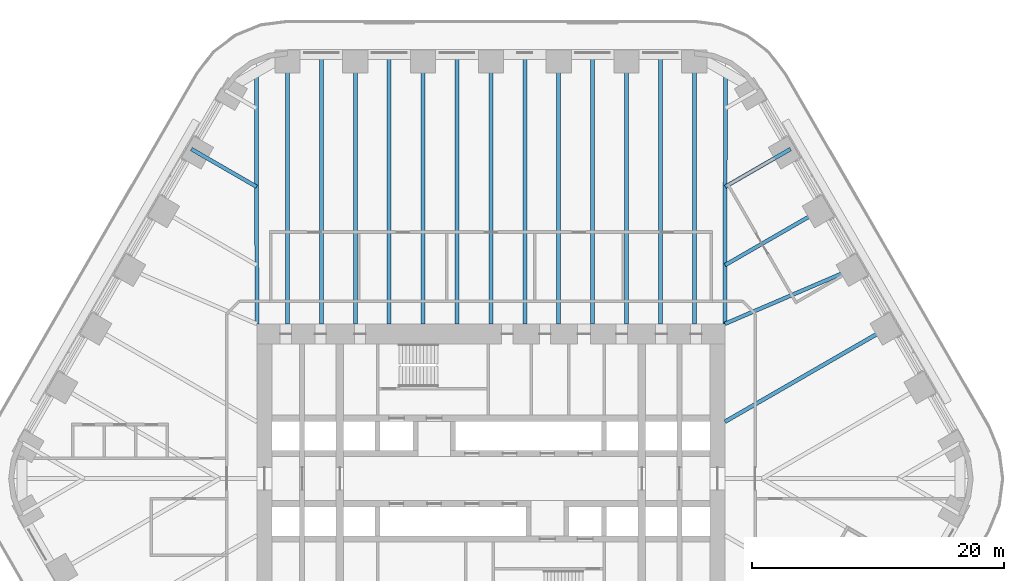
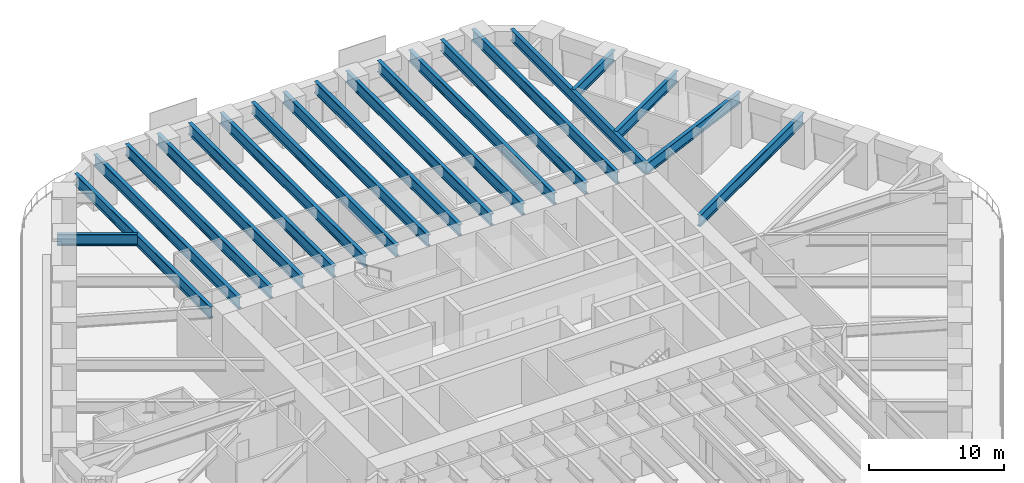
# One storey, part 10 of 23: 20 beams.
"""IFC4 building model written with IfcOpenShell, lengths in metres."""

from ifc_helpers import new_model, si_unit, direction, frame, origin, origin_2d, place, context, subcontext, project, spatial, i_section, extrude, material, material_profile, profile_set, type_object, element, save


model = new_model("IFC4")

# Units and contexts
model_context = context("Model", 3, precision=1e-05, world=origin(), true_north=direction((0.0, 1.0)))
body_context = subcontext(model_context, "Body", "Model", "MODEL_VIEW")
ifc_project = project(units=[si_unit("LENGTHUNIT", "METRE"), si_unit("AREAUNIT", "SQUARE_METRE"), si_unit("VOLUMEUNIT", "CUBIC_METRE"), si_unit("PLANEANGLEUNIT", "RADIAN"), si_unit("MASSUNIT", "GRAM", prefix="KILO")], contexts=[model_context])

# Site, building, storey
site_placement = place(None, origin())
site = spatial("IfcSite", under=ifc_project, at=site_placement, CompositionType="ELEMENT")
building_placement = place(site_placement, origin())
building = spatial("IfcBuilding", under=site, at=building_placement, Name="Tarfa Lantern Tower", CompositionType="ELEMENT")
storey_placement = place(building_placement, frame((0.0, 0.0, 61.300048828125)))
storey = spatial("IfcBuildingStorey", under=building, at=storey_placement, Name="L13", CompositionType="ELEMENT", Elevation=61.300048828125)

# Beams
ifc_material = material(Name="Steel S460M", Category="steel")
ifc_material_profile_1 = material_profile(ifc_material, i_section(OverallWidth=0.302001953125, OverallDepth=1.008056640625, WebThickness=0.02099609375, FlangeThickness=0.0400390625, FilletRadius=0.030029296875, at=origin_2d()), Name="UB1016x305x349")
ifc_profile_set_1 = profile_set([ifc_material_profile_1], Name="Steel S460M")
beam_type_1 = type_object("IfcBeamType", Name="UB1016x305x349", PredefinedType="BEAM", material=ifc_profile_set_1)
beam_1_placement = place(storey_placement, frame((29.202392578125, 16.860107421875, 3.495849609375), z_axis=(-0.918635483867, -0.395106122175, 0.0), x_axis=(0.395106122175, -0.918635483867, 0.0)))
element("IfcBeam", 1, at=beam_1_placement, inside=storey, type_object=beam_type_1, Name="Floor beam NE3", PredefinedType="BEAM", context=body_context, shape_type="SweptSolid", body=[
    extrude(i_section(OverallWidth=0.302001953125, OverallDepth=1.008056640625, WebThickness=0.02099609375, FlangeThickness=0.0400390625, FilletRadius=0.030029296875, at=origin_2d()), origin(), (0.0, 0.0, 1.0), 11.541259765625),
])
beam_2_placement = place(storey_placement, frame((26.508056640625, 21.526611328125, 3.495849609375), z_axis=(-0.866035355799, -0.49998276221, 0.0), x_axis=(0.49998276221, -0.866035355799, 0.0)))
element("IfcBeam", 2, at=beam_2_placement, inside=storey, type_object=beam_type_1, Name="Floor beam NE4", PredefinedType="BEAM", context=body_context, shape_type="SweptSolid", body=[
    extrude(i_section(OverallWidth=0.302001953125, OverallDepth=1.008056640625, WebThickness=0.02099609375, FlangeThickness=0.0400390625, FilletRadius=0.030029296875, at=origin_2d()), origin(), (0.0, 0.0, 1.0), 9.119873046875),
])
for number, where, z_axis, x_axis, name in (
    (3, (23.813720703125, 26.193359375, 3.495849609375), (-0.866015997389, -0.500016292001, 0.0), (0.500016292001, -0.866015997389, 0.0), "Floor beam NE5"),
    (4, (-23.813720703125, 26.193359375, 3.495849609375), (0.866015997389, -0.500016292001, 0.0), (0.500016292001, 0.866015997389, 0.0), "Floor beam NW1"),
):
    element("IfcBeam", number, at=place(storey_placement, frame(where, z_axis=z_axis, x_axis=x_axis)), inside=storey, type_object=beam_type_1, Name=name, PredefinedType="BEAM", context=body_context, shape_type="SweptSolid", body=[
        extrude(i_section(OverallWidth=0.302001953125, OverallDepth=1.008056640625, WebThickness=0.02099609375, FlangeThickness=0.0400390625, FilletRadius=0.030029296875, at=origin_2d()), origin(), (0.0, 0.0, 1.0), 5.993408203125),
    ])
ifc_material_profile_2 = material_profile(ifc_material, i_section(OverallWidth=0.314208984375, OverallDepth=1.055908203125, WebThickness=0.035888671875, FlangeThickness=0.06396484375, FilletRadius=0.030029296875, at=origin_2d()), Name="UB1016x305x584")
ifc_profile_set_2 = profile_set([ifc_material_profile_2], Name="Steel S460M")
beam_type_2 = type_object("IfcBeamType", Name="UB1016x305x584", PredefinedType="BEAM", material=ifc_profile_set_2)
for number, where, z_axis, x_axis, name in (
    (5, (18.60009765625, 12.300048828125, 3.471923828125), (0.00212508222, 0.99999774201, 0.0), (-0.99999774201, 0.00212508222, 0.0), "Hip girder NE"),
    (6, (-18.60009765625, 12.300048828125, 3.471923828125), (-0.00212508222, 0.99999774201, 0.0), (-0.99999774201, -0.00212508222, 0.0), "Hip girder NW"),
):
    element("IfcBeam", number, at=place(storey_placement, frame(where, z_axis=z_axis, x_axis=x_axis)), inside=storey, type_object=beam_type_2, Name=name, PredefinedType="BEAM", context=body_context, shape_type="SweptSolid", body=[
        extrude(i_section(OverallWidth=0.314208984375, OverallDepth=1.055908203125, WebThickness=0.035888671875, FlangeThickness=0.06396484375, FilletRadius=0.030029296875, at=origin_2d()), origin(), (0.0, 0.0, 1.0), 19.989990234375),
    ])
beam_3_placement = place(storey_placement, frame((31.896728515625, 12.193359375, 3.471923828125), z_axis=(-0.866026971665, -0.499997284341, 0.0), x_axis=(0.499997284341, -0.866026971665, 0.0)))
element("IfcBeam", 7, at=beam_3_placement, inside=storey, type_object=beam_type_2, Name="Floor beam NE2", PredefinedType="BEAM", context=body_context, shape_type="SweptSolid", body=[
    extrude(i_section(OverallWidth=0.314208984375, OverallDepth=1.055908203125, WebThickness=0.035888671875, FlangeThickness=0.06396484375, FilletRadius=0.030029296875, at=origin_2d()), origin(), (0.0, 0.0, 1.0), 15.353515625),
])
for number, where, z_axis, x_axis, name in (
    (8, (16.165771484375, 33.719970703125, 3.471923828125), (0.0, -1.0, 0.0), (1.0, 0.0, 0.0), "Floor beam N0"),
    (9, (10.777099609375, 33.719970703125, 3.471923828125), (0.0, -1.0, 0.0), (1.0, 0.0, 0.0), "Floor beam N1"),
    (10, (5.388671875, 33.719970703125, 3.471923828125), (0.0, -1.0, 0.0), (1.0, 0.0, 0.0), "Floor beam N2"),
    (11, (0.0, 33.719970703125, 3.471923828125), (0.0, -1.0, 0.0), (1.0, 0.0, 0.0), "Floor beam N3"),
    (12, (-5.388671875, 33.719970703125, 3.471923828125), (0.0, -1.0, 0.0), (1.0, 0.0, 0.0), "Floor beam N4"),
    (13, (-10.777099609375, 33.719970703125, 3.471923828125), (0.0, -1.0, 0.0), (1.0, 0.0, 0.0), "Floor beam N5"),
    (14, (-16.165771484375, 33.719970703125, 3.471923828125), (0.0, -1.0, 0.0), (1.0, 0.0, 0.0), "Floor beam N6"),
    (15, (13.471435546875, 33.719970703125, 3.471923828125), (0.0, -1.0, 0.0), (1.0, 0.0, 0.0), "Floor beam N0M"),
    (16, (8.0830078125, 33.719970703125, 3.471923828125), (0.0, -1.0, 0.0), (1.0, 0.0, 0.0), "Floor beam N1M"),
    (17, (2.6943359375, 33.719970703125, 3.471923828125), (0.0, -1.0, 0.0), (1.0, 0.0, 0.0), "Floor beam N2M"),
    (18, (-2.6943359375, 33.719970703125, 3.471923828125), (0.0, -1.0, 0.0), (1.0, 0.0, 0.0), "Floor beam N3M"),
    (19, (-8.0830078125, 33.719970703125, 3.471923828125), (0.0, -1.0, 0.0), (1.0, 0.0, 0.0), "Floor beam N4M"),
    (20, (-13.471435546875, 33.719970703125, 3.471923828125), (0.0, -1.0, 0.0), (1.0, 0.0, 0.0), "Floor beam N5M"),
):
    element("IfcBeam", number, at=place(storey_placement, frame(where, z_axis=z_axis, x_axis=x_axis)), inside=storey, type_object=beam_type_2, Name=name, PredefinedType="BEAM", context=body_context, shape_type="SweptSolid", body=[
        extrude(i_section(OverallWidth=0.314208984375, OverallDepth=1.055908203125, WebThickness=0.035888671875, FlangeThickness=0.06396484375, FilletRadius=0.030029296875, at=origin_2d()), origin(), (0.0, 0.0, 1.0), 21.419921875),
    ])

save(model, "model.ifc")
